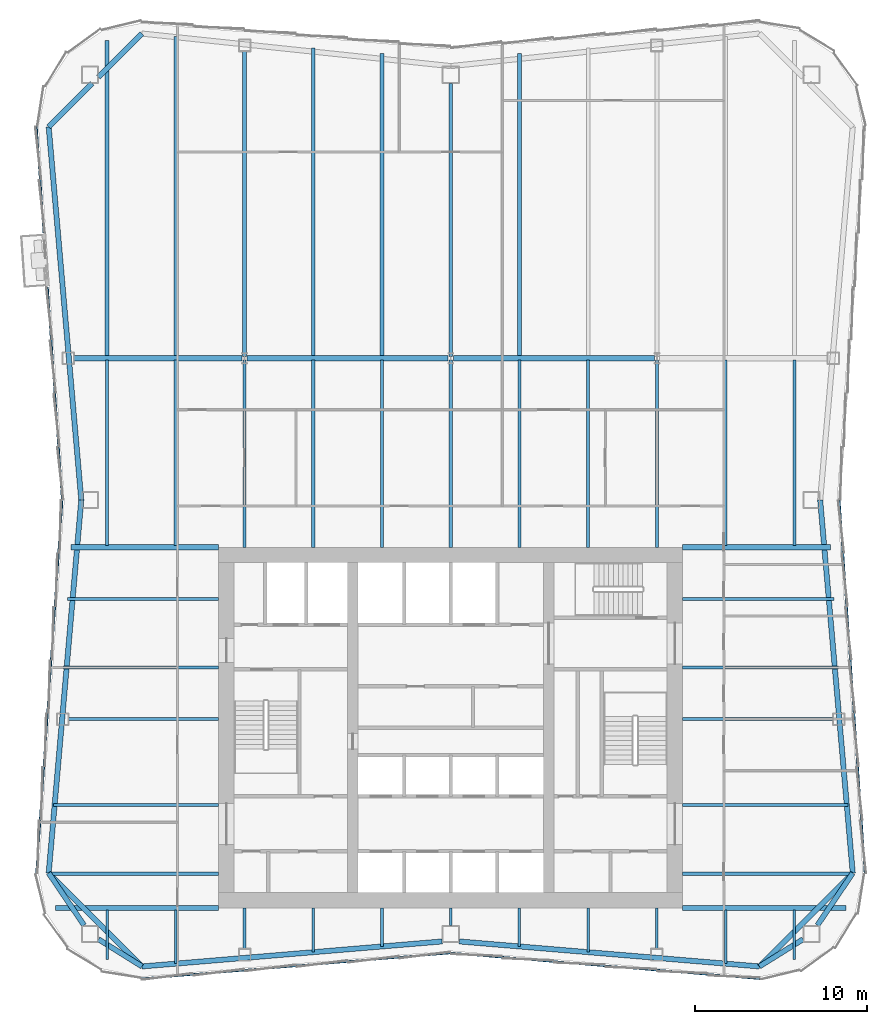
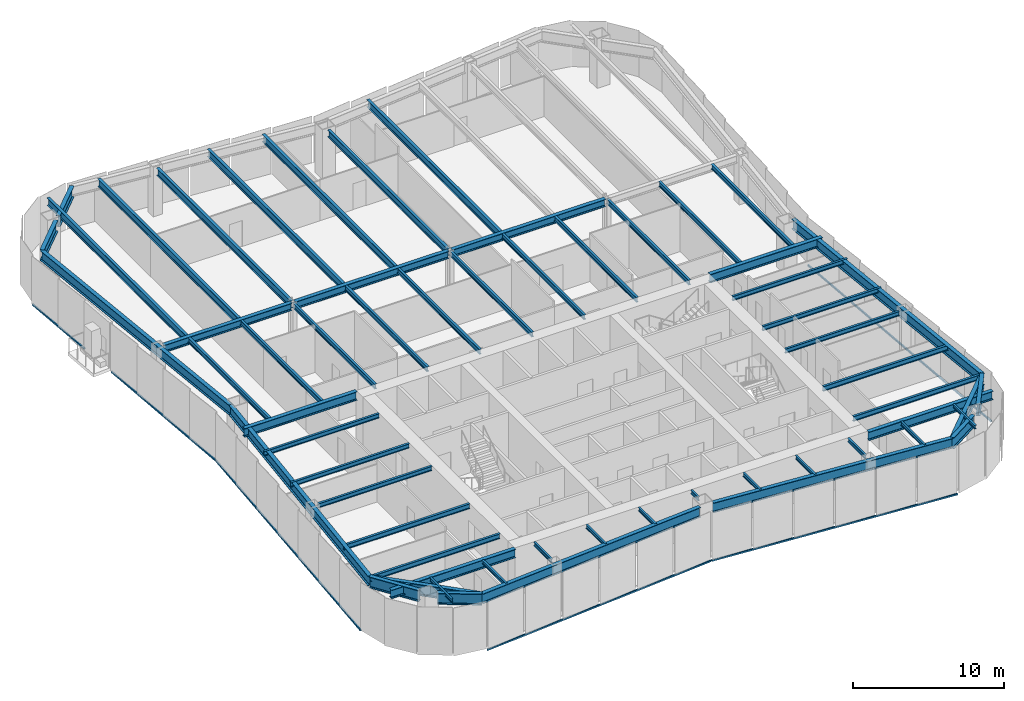
# One storey, part 2 of 10: 59 beams, 6 members, 3 elements without a shape of their own.
"""IFC4 building model written with IfcOpenShell, lengths in metres."""

from ifc_helpers import new_model, si_unit, direction, frame, origin, origin_2d, place, context, subcontext, project, spatial, rectangle, i_section, extrude, material, material_profile, profile_set, type_object, element, aggregate, save


model = new_model("IFC4")

# Units and contexts
model_context = context("Model", 3, precision=1e-05, world=origin(), true_north=direction((0.0, 1.0)))
body_context = subcontext(model_context, "Body", "Model", "MODEL_VIEW")
ifc_project = project(units=[si_unit("LENGTHUNIT", "METRE"), si_unit("AREAUNIT", "SQUARE_METRE"), si_unit("VOLUMEUNIT", "CUBIC_METRE"), si_unit("PLANEANGLEUNIT", "RADIAN"), si_unit("MASSUNIT", "GRAM", prefix="KILO")], contexts=[model_context])

# Site, building, storey
site_placement = place(None, origin())
site = spatial("IfcSite", under=ifc_project, at=site_placement, CompositionType="ELEMENT")
building_placement = place(site_placement, origin())
building = spatial("IfcBuilding", under=site, at=building_placement, Name="Verdant Reach Tower", CompositionType="ELEMENT")
storey_placement = place(building_placement, frame((0.0, 0.0, 214.0)))
storey = spatial("IfcBuildingStorey", under=building, at=storey_placement, Name="L49", CompositionType="ELEMENT", Elevation=214.0)

# Curtain wall, member
ifc_material_1 = material(Name="Anodised aluminium", Category="aluminium")
curtain_wall_type = type_object("IfcCurtainWallType", Name="EN-CW SYSTEM Z3", PredefinedType="NOTDEFINED", material=ifc_material_1)
curtain_wall_1_placement = place(storey_placement, origin())
curtain_wall_1 = element("IfcCurtainWall", 1, at=curtain_wall_1_placement, inside=storey, type_object=curtain_wall_type, Name="Curtain wall east, L49", PredefinedType="NOTDEFINED")
ifc_material_profile_1 = material_profile(ifc_material_1, rectangle(XDim=0.10009765625, YDim=0.1259765625, at=origin_2d()), Name="Transom 126x100")
ifc_profile_set_1 = profile_set([ifc_material_profile_1], Name="Anodised aluminium")
member_type = type_object("IfcMemberType", Name="EN-TRANSOM Z3", PredefinedType="USERDEFINED", material=ifc_profile_set_1)
member_1_placement = place(storey_placement, frame((24.1064453125, 19.52587890625, -0.287109375), z_axis=(-0.068764326054, 0.997632932226, 0.0), x_axis=(-0.997632932226, -0.068764326054, 0.0)))
member_1 = element("IfcMember", 2, at=member_1_placement, type_object=member_type, Name="Transom east face part 1 1.1, L49", ObjectType="TRANSOM", PredefinedType="USERDEFINED", context=body_context, shape_type="SweptSolid", body=[
    extrude(rectangle(XDim=0.10009765625, YDim=0.1259765625, at=origin_2d()), origin(), (0.0, 0.0, 1.0), 21.74267578125),
])
aggregate(curtain_wall_1, [member_1])

# Curtain wall, members
curtain_wall_2_placement = place(storey_placement, origin())
curtain_wall_2 = element("IfcCurtainWall", 3, at=curtain_wall_2_placement, inside=storey, type_object=curtain_wall_type, Name="Curtain wall west, L49", PredefinedType="NOTDEFINED")
member_2_placement = place(storey_placement, frame((-24.1064453125, 62.97412109375, -0.287109375), z_axis=(0.068646115672, -0.997641073134, 0.0), x_axis=(0.997641073134, 0.068646115672, 0.0)))
member_2 = element("IfcMember", 4, at=member_2_placement, type_object=member_type, Name="Transom west face part 1 1.1, L49", ObjectType="TRANSOM", PredefinedType="USERDEFINED", context=body_context, shape_type="SweptSolid", body=[
    extrude(rectangle(XDim=0.10009765625, YDim=0.1259765625, at=origin_2d()), origin(), (0.0, 0.0, 1.0), 6.177734375),
])
member_3_placement = place(storey_placement, frame((-23.463623046875, 53.63818359375, -0.287109375), z_axis=(0.068819005353, -0.997629161814, 0.0), x_axis=(0.997629161814, 0.068819005353, 0.0)))
member_3 = element("IfcMember", 5, at=member_3_placement, type_object=member_type, Name="Transom west face part 1 2.1, L49", ObjectType="TRANSOM", PredefinedType="USERDEFINED", context=body_context, shape_type="SweptSolid", body=[
    extrude(rectangle(XDim=0.10009765625, YDim=0.1259765625, at=origin_2d()), origin(), (0.0, 0.0, 1.0), 12.384521484375),
])
member_4_placement = place(storey_placement, frame((-22.611328125, 41.217041015625, -0.287109375), z_axis=(-0.068764326054, -0.997632932226, 0.0), x_axis=(0.997632932226, -0.068764326054, 0.0)))
member_4 = element("IfcMember", 6, at=member_4_placement, type_object=member_type, Name="Transom west face part 2 1.1, L49", ObjectType="TRANSOM", PredefinedType="USERDEFINED", context=body_context, shape_type="SweptSolid", body=[
    extrude(rectangle(XDim=0.10009765625, YDim=0.1259765625, at=origin_2d()), origin(), (0.0, 0.0, 1.0), 21.74267578125),
])
aggregate(curtain_wall_2, [member_2, member_3, member_4])

curtain_wall_3_placement = place(storey_placement, origin())
curtain_wall_3 = element("IfcCurtainWall", 7, at=curtain_wall_3_placement, inside=storey, type_object=curtain_wall_type, Name="Curtain wall south, L49", PredefinedType="NOTDEFINED")
member_5_placement = place(storey_placement, frame((-17.973388671875, 13.393798828125, -0.287109375), z_axis=(0.996548750467, 0.083009565369, 0.0), x_axis=(-0.083009565369, 0.996548750467, 0.0)))
member_5 = element("IfcMember", 8, at=member_5_placement, type_object=member_type, Name="Transom south face part 1 1.1, L49", ObjectType="TRANSOM", PredefinedType="USERDEFINED", context=body_context, shape_type="SweptSolid", body=[
    extrude(rectangle(XDim=0.10009765625, YDim=0.1259765625, at=origin_2d()), origin(), (0.0, 0.0, 1.0), 18.00244140625),
])
member_6_placement = place(storey_placement, frame((0.032958984375, 14.88818359375, -0.287109375), z_axis=(0.996548750467, -0.083009565369, 0.0), x_axis=(0.083009565369, 0.996548750467, 0.0)))
member_6 = element("IfcMember", 9, at=member_6_placement, type_object=member_type, Name="Transom south face part 2 1.1, L49", ObjectType="TRANSOM", PredefinedType="USERDEFINED", context=body_context, shape_type="SweptSolid", body=[
    extrude(rectangle(XDim=0.10009765625, YDim=0.1259765625, at=origin_2d()), origin(), (0.0, 0.0, 1.0), 18.00244140625),
])
aggregate(curtain_wall_3, [member_5, member_6])

# Beams
ifc_material_2 = material(Name="Steel S355", Category="steel")
ifc_material_profile_2 = material_profile(ifc_material_2, i_section(OverallWidth=0.300048828125, OverallDepth=0.60009765625, WebThickness=0.015380859375, FlangeThickness=0.030029296875, FilletRadius=0.027099609375, at=origin_2d()), Name="HEB 600")
ifc_profile_set_2 = profile_set([ifc_material_profile_2], Name="Steel S355")
beam_type_1 = type_object("IfcBeamType", Name="ST-BEAM-HEB600", PredefinedType="BEAM", material=ifc_profile_set_2)
beam_1_placement = place(storey_placement, frame((-21.9189453125, 49.5, 3.570068359375), z_axis=(1.0, 0.0, 0.0), x_axis=(0.0, 1.0, 0.0)))
element("IfcBeam", 10, at=beam_1_placement, inside=storey, type_object=beam_type_1, Name="Row girder, L49", PredefinedType="BEAM", context=body_context, shape_type="SweptSolid", body=[
    extrude(i_section(OverallWidth=0.300048828125, OverallDepth=0.60009765625, WebThickness=0.015380859375, FlangeThickness=0.030029296875, FilletRadius=0.027099609375, at=origin_2d()), origin(), (0.0, 0.0, 1.0), 9.766357421875),
])
for number, where, z_axis, x_axis, name in (
    (11, (-11.847412109375, 49.5, 3.570068359375), (1.0, 0.0, 0.0), (0.0, 1.0, 0.0), "Row girder, L49"),
    (12, (0.152587890625, 49.5, 3.570068359375), (1.0, 0.0, 0.0), (0.0, 1.0, 0.0), "Row girder, L49"),
):
    element("IfcBeam", number, at=place(storey_placement, frame(where, z_axis=z_axis, x_axis=x_axis)), inside=storey, type_object=beam_type_1, Name=name, PredefinedType="BEAM", context=body_context, shape_type="SweptSolid", body=[
        extrude(i_section(OverallWidth=0.300048828125, OverallDepth=0.60009765625, WebThickness=0.015380859375, FlangeThickness=0.030029296875, FilletRadius=0.027099609375, at=origin_2d()), origin(), (0.0, 0.0, 1.0), 11.69482421875),
    ])
ifc_material_profile_3 = material_profile(ifc_material_2, i_section(OverallWidth=0.300048828125, OverallDepth=0.699951171875, WebThickness=0.01708984375, FlangeThickness=0.031982421875, FilletRadius=0.027099609375, at=origin_2d()), Name="HEB 700")
ifc_profile_set_3 = profile_set([ifc_material_profile_3], Name="Steel S355")
beam_type_2 = type_object("IfcBeamType", Name="ST-BEAM-HEB700", PredefinedType="BEAM", material=ifc_profile_set_3)
for number, where, z_axis, x_axis, name in (
    (13, (13.5, 38.5, 3.52001953125), (1.0, 0.0, 0.0), (0.0, 1.0, 0.0), "Trimmer beam, L49"),
    (14, (-13.5, 38.5, 3.52001953125), (-1.0, 0.0, 0.0), (0.0, -1.0, 0.0), "Trimmer beam, L49"),
):
    element("IfcBeam", number, at=place(storey_placement, frame(where, z_axis=z_axis, x_axis=x_axis)), inside=storey, type_object=beam_type_2, Name=name, PredefinedType="BEAM", context=body_context, shape_type="SweptSolid", body=[
        extrude(i_section(OverallWidth=0.300048828125, OverallDepth=0.699951171875, WebThickness=0.01708984375, FlangeThickness=0.031982421875, FilletRadius=0.027099609375, at=origin_2d()), origin(), (0.0, 0.0, 1.0), 8.588134765625),
    ])
for number, where, z_axis, x_axis, name in (
    (15, (13.5, 17.5, 3.52001953125), (1.0, 0.0, 0.0), (0.0, 1.0, 0.0), "Trimmer beam, L49"),
    (16, (-13.5, 17.5, 3.52001953125), (-1.0, 0.0, 0.0), (0.0, -1.0, 0.0), "Trimmer beam, L49"),
):
    element("IfcBeam", number, at=place(storey_placement, frame(where, z_axis=z_axis, x_axis=x_axis)), inside=storey, type_object=beam_type_2, Name=name, PredefinedType="BEAM", context=body_context, shape_type="SweptSolid", body=[
        extrude(i_section(OverallWidth=0.300048828125, OverallDepth=0.699951171875, WebThickness=0.01708984375, FlangeThickness=0.031982421875, FilletRadius=0.027099609375, at=origin_2d()), origin(), (0.0, 0.0, 1.0), 9.490478515625),
    ])
ifc_material_profile_4 = material_profile(ifc_material_2, i_section(OverallWidth=0.302001953125, OverallDepth=0.909912109375, WebThickness=0.02099609375, FlangeThickness=0.0400390625, FilletRadius=0.030029296875, at=origin_2d()), Name="HEM 900")
ifc_profile_set_4 = profile_set([ifc_material_profile_4], Name="Steel S355")
beam_type_3 = type_object("IfcBeamType", Name="ST-BEAM-HEM900", PredefinedType="BEAM", material=ifc_profile_set_4)
beam_2_placement = place(storey_placement, frame((20.5, 15.687744140625, 3.4150390625), z_axis=(-0.848163521635, -0.529734500073, 0.0), x_axis=(0.529734500073, -0.848163521635, 0.0)))
element("IfcBeam", 17, at=beam_2_placement, inside=storey, type_object=beam_type_3, Name="Column stub beam, L49", PredefinedType="BEAM", context=body_context, shape_type="SweptSolid", body=[
    extrude(i_section(OverallWidth=0.302001953125, OverallDepth=0.909912109375, WebThickness=0.02099609375, FlangeThickness=0.0400390625, FilletRadius=0.030029296875, at=origin_2d()), origin(), (0.0, 0.0, 1.0), 2.98779296875),
])
beam_3_placement = place(storey_placement, frame((21.33837890625, 16.5, 3.4150390625), z_axis=(0.560703975309, 0.828016335631, 0.0), x_axis=(-0.828016335631, 0.560703975309, 0.0)))
element("IfcBeam", 18, at=beam_3_placement, inside=storey, type_object=beam_type_3, Name="Column stub beam, L49", PredefinedType="BEAM", context=body_context, shape_type="SweptSolid", body=[
    extrude(i_section(OverallWidth=0.302001953125, OverallDepth=0.909912109375, WebThickness=0.02099609375, FlangeThickness=0.0400390625, FilletRadius=0.030029296875, at=origin_2d()), origin(), (0.0, 0.0, 1.0), 3.669677734375),
])
beam_4_placement = place(storey_placement, frame((-20.5, 15.687744140625, 3.4150390625), z_axis=(0.848163521635, -0.529734500073, 0.0), x_axis=(0.529734500073, 0.848163521635, 0.0)))
element("IfcBeam", 19, at=beam_4_placement, inside=storey, type_object=beam_type_3, Name="Column stub beam, L49", PredefinedType="BEAM", context=body_context, shape_type="SweptSolid", body=[
    extrude(i_section(OverallWidth=0.302001953125, OverallDepth=0.909912109375, WebThickness=0.02099609375, FlangeThickness=0.0400390625, FilletRadius=0.030029296875, at=origin_2d()), origin(), (0.0, 0.0, 1.0), 2.98779296875),
])
beam_5_placement = place(storey_placement, frame((-21.33837890625, 16.5, 3.4150390625), z_axis=(-0.560703975309, 0.828016335631, 0.0), x_axis=(-0.828016335631, -0.560703975309, 0.0)))
element("IfcBeam", 20, at=beam_5_placement, inside=storey, type_object=beam_type_3, Name="Column stub beam, L49", PredefinedType="BEAM", context=body_context, shape_type="SweptSolid", body=[
    extrude(i_section(OverallWidth=0.302001953125, OverallDepth=0.909912109375, WebThickness=0.02099609375, FlangeThickness=0.0400390625, FilletRadius=0.030029296875, at=origin_2d()), origin(), (0.0, 0.0, 1.0), 3.669677734375),
])
ifc_material_profile_5 = material_profile(ifc_material_2, i_section(OverallWidth=0.14990234375, OverallDepth=0.300048828125, WebThickness=0.007080078125, FlangeThickness=0.0107421875, FilletRadius=0.014892578125, at=origin_2d()), Name="IPE 300")
ifc_profile_set_5 = profile_set([ifc_material_profile_5], Name="Steel S355")
beam_type_4 = type_object("IfcBeamType", Name="ST-JOIST-IPE300", PredefinedType="JOIST", material=ifc_profile_set_5)
beam_6_placement = place(storey_placement, frame((-20.0, 17.39990234375, 3.719970703125), z_axis=(0.0, -1.0, 0.0), x_axis=(1.0, 0.0, 0.0)))
element("IfcBeam", 21, at=beam_6_placement, inside=storey, type_object=beam_type_4, Name="Floor joist, L49", PredefinedType="JOIST", context=body_context, shape_type="SweptSolid", body=[
    extrude(i_section(OverallWidth=0.14990234375, OverallDepth=0.300048828125, WebThickness=0.007080078125, FlangeThickness=0.0107421875, FilletRadius=0.014892578125, at=origin_2d()), origin(), (0.0, 0.0, 1.0), 2.890380859375),
])
beam_7_placement = place(storey_placement, frame((-16.0, 17.39990234375, 3.719970703125), z_axis=(0.0, -1.0, 0.0), x_axis=(1.0, 0.0, 0.0)))
element("IfcBeam", 22, at=beam_7_placement, inside=storey, type_object=beam_type_4, Name="Floor joist, L49", PredefinedType="JOIST", context=body_context, shape_type="SweptSolid", body=[
    extrude(i_section(OverallWidth=0.14990234375, OverallDepth=0.300048828125, WebThickness=0.007080078125, FlangeThickness=0.0107421875, FilletRadius=0.014892578125, at=origin_2d()), origin(), (0.0, 0.0, 1.0), 3.131103515625),
])
beam_8_placement = place(storey_placement, frame((-12.0, 17.5, 3.719970703125), z_axis=(0.0, -1.0, 0.0), x_axis=(1.0, 0.0, 0.0)))
element("IfcBeam", 23, at=beam_8_placement, inside=storey, type_object=beam_type_4, Name="Floor joist, L49", PredefinedType="JOIST", context=body_context, shape_type="SweptSolid", body=[
    extrude(i_section(OverallWidth=0.14990234375, OverallDepth=0.300048828125, WebThickness=0.007080078125, FlangeThickness=0.0107421875, FilletRadius=0.014892578125, at=origin_2d()), origin(), (0.0, 0.0, 1.0), 2.35009765625),
])
beam_9_placement = place(storey_placement, frame((-8.0, 17.5, 3.719970703125), z_axis=(0.0, -1.0, 0.0), x_axis=(1.0, 0.0, 0.0)))
element("IfcBeam", 24, at=beam_9_placement, inside=storey, type_object=beam_type_4, Name="Floor joist, L49", PredefinedType="JOIST", context=body_context, shape_type="SweptSolid", body=[
    extrude(i_section(OverallWidth=0.14990234375, OverallDepth=0.300048828125, WebThickness=0.007080078125, FlangeThickness=0.0107421875, FilletRadius=0.014892578125, at=origin_2d()), origin(), (0.0, 0.0, 1.0), 2.564697265625),
])
beam_10_placement = place(storey_placement, frame((-4.0, 17.5, 3.719970703125), z_axis=(0.0, -1.0, 0.0), x_axis=(1.0, 0.0, 0.0)))
element("IfcBeam", 25, at=beam_10_placement, inside=storey, type_object=beam_type_4, Name="Floor joist, L49", PredefinedType="JOIST", context=body_context, shape_type="SweptSolid", body=[
    extrude(i_section(OverallWidth=0.14990234375, OverallDepth=0.300048828125, WebThickness=0.007080078125, FlangeThickness=0.0107421875, FilletRadius=0.014892578125, at=origin_2d()), origin(), (0.0, 0.0, 1.0), 2.231201171875),
])
beam_11_placement = place(storey_placement, frame((0.0, 17.5, 3.719970703125), z_axis=(0.0, -1.0, 0.0), x_axis=(1.0, 0.0, 0.0)))
element("IfcBeam", 26, at=beam_11_placement, inside=storey, type_object=beam_type_4, Name="Floor joist, L49", PredefinedType="JOIST", context=body_context, shape_type="SweptSolid", body=[
    extrude(i_section(OverallWidth=0.14990234375, OverallDepth=0.300048828125, WebThickness=0.007080078125, FlangeThickness=0.0107421875, FilletRadius=0.014892578125, at=origin_2d()), origin(), (0.0, 0.0, 1.0), 1.0),
])
beam_12_placement = place(storey_placement, frame((4.0, 17.5, 3.719970703125), z_axis=(0.0, -1.0, 0.0), x_axis=(1.0, 0.0, 0.0)))
element("IfcBeam", 27, at=beam_12_placement, inside=storey, type_object=beam_type_4, Name="Floor joist, L49", PredefinedType="JOIST", context=body_context, shape_type="SweptSolid", body=[
    extrude(i_section(OverallWidth=0.14990234375, OverallDepth=0.300048828125, WebThickness=0.007080078125, FlangeThickness=0.0107421875, FilletRadius=0.014892578125, at=origin_2d()), origin(), (0.0, 0.0, 1.0), 2.231201171875),
])
beam_13_placement = place(storey_placement, frame((8.0, 17.5, 3.719970703125), z_axis=(0.0, -1.0, 0.0), x_axis=(1.0, 0.0, 0.0)))
element("IfcBeam", 28, at=beam_13_placement, inside=storey, type_object=beam_type_4, Name="Floor joist, L49", PredefinedType="JOIST", context=body_context, shape_type="SweptSolid", body=[
    extrude(i_section(OverallWidth=0.14990234375, OverallDepth=0.300048828125, WebThickness=0.007080078125, FlangeThickness=0.0107421875, FilletRadius=0.014892578125, at=origin_2d()), origin(), (0.0, 0.0, 1.0), 2.564697265625),
])
beam_14_placement = place(storey_placement, frame((12.0, 17.5, 3.719970703125), z_axis=(0.0, -1.0, 0.0), x_axis=(1.0, 0.0, 0.0)))
element("IfcBeam", 29, at=beam_14_placement, inside=storey, type_object=beam_type_4, Name="Floor joist, L49", PredefinedType="JOIST", context=body_context, shape_type="SweptSolid", body=[
    extrude(i_section(OverallWidth=0.14990234375, OverallDepth=0.300048828125, WebThickness=0.007080078125, FlangeThickness=0.0107421875, FilletRadius=0.014892578125, at=origin_2d()), origin(), (0.0, 0.0, 1.0), 2.35009765625),
])
beam_15_placement = place(storey_placement, frame((16.0, 17.39990234375, 3.719970703125), z_axis=(0.0, -1.0, 0.0), x_axis=(1.0, 0.0, 0.0)))
element("IfcBeam", 30, at=beam_15_placement, inside=storey, type_object=beam_type_4, Name="Floor joist, L49", PredefinedType="JOIST", context=body_context, shape_type="SweptSolid", body=[
    extrude(i_section(OverallWidth=0.14990234375, OverallDepth=0.300048828125, WebThickness=0.007080078125, FlangeThickness=0.0107421875, FilletRadius=0.014892578125, at=origin_2d()), origin(), (0.0, 0.0, 1.0), 3.131103515625),
])
beam_16_placement = place(storey_placement, frame((20.0, 17.39990234375, 3.719970703125), z_axis=(0.0, -1.0, 0.0), x_axis=(1.0, 0.0, 0.0)))
element("IfcBeam", 31, at=beam_16_placement, inside=storey, type_object=beam_type_4, Name="Floor joist, L49", PredefinedType="JOIST", context=body_context, shape_type="SweptSolid", body=[
    extrude(i_section(OverallWidth=0.14990234375, OverallDepth=0.300048828125, WebThickness=0.007080078125, FlangeThickness=0.0107421875, FilletRadius=0.014892578125, at=origin_2d()), origin(), (0.0, 0.0, 1.0), 2.890380859375),
])
ifc_material_profile_6 = material_profile(ifc_material_2, i_section(OverallWidth=0.169921875, OverallDepth=0.360107421875, WebThickness=0.008056640625, FlangeThickness=0.0126953125, FilletRadius=0.01806640625, at=origin_2d()), Name="IPE 360")
ifc_profile_set_6 = profile_set([ifc_material_profile_6], Name="Steel S355")
beam_type_5 = type_object("IfcBeamType", Name="ST-JOIST-IPE360", PredefinedType="JOIST", material=ifc_profile_set_6)
for number, where, z_axis, x_axis, name in (
    (32, (13.5, 28.5, 3.68994140625), (1.0, 0.0, 0.0), (0.0, 1.0, 0.0), "Floor joist, L49"),
    (33, (-13.5, 28.5, 3.68994140625), (-1.0, 0.0, 0.0), (0.0, -1.0, 0.0), "Floor joist, L49"),
):
    element("IfcBeam", number, at=place(storey_placement, frame(where, z_axis=z_axis, x_axis=x_axis)), inside=storey, type_object=beam_type_5, Name=name, PredefinedType="JOIST", context=body_context, shape_type="SweptSolid", body=[
        extrude(i_section(OverallWidth=0.169921875, OverallDepth=0.360107421875, WebThickness=0.008056640625, FlangeThickness=0.0126953125, FilletRadius=0.01806640625, at=origin_2d()), origin(), (0.0, 0.0, 1.0), 8.729248046875),
    ])
for number, where, z_axis, x_axis, name in (
    (34, (13.5, 31.5, 3.68994140625), (1.0, 0.0, 0.0), (0.0, 1.0, 0.0), "Floor joist, L49"),
    (35, (-13.5, 31.5, 3.68994140625), (-1.0, 0.0, 0.0), (0.0, -1.0, 0.0), "Floor joist, L49"),
):
    element("IfcBeam", number, at=place(storey_placement, frame(where, z_axis=z_axis, x_axis=x_axis)), inside=storey, type_object=beam_type_5, Name=name, PredefinedType="JOIST", context=body_context, shape_type="SweptSolid", body=[
        extrude(i_section(OverallWidth=0.169921875, OverallDepth=0.360107421875, WebThickness=0.008056640625, FlangeThickness=0.0126953125, FilletRadius=0.01806640625, at=origin_2d()), origin(), (0.0, 0.0, 1.0), 9.071044921875),
    ])
for number, where, z_axis, x_axis, name in (
    (36, (13.5, 35.5, 3.68994140625), (1.0, 0.0, 0.0), (0.0, 1.0, 0.0), "Floor joist, L49"),
    (37, (-13.5, 35.5, 3.68994140625), (-1.0, 0.0, 0.0), (0.0, -1.0, 0.0), "Floor joist, L49"),
):
    element("IfcBeam", number, at=place(storey_placement, frame(where, z_axis=z_axis, x_axis=x_axis)), inside=storey, type_object=beam_type_5, Name=name, PredefinedType="JOIST", context=body_context, shape_type="SweptSolid", body=[
        extrude(i_section(OverallWidth=0.169921875, OverallDepth=0.360107421875, WebThickness=0.008056640625, FlangeThickness=0.0126953125, FilletRadius=0.01806640625, at=origin_2d()), origin(), (0.0, 0.0, 1.0), 8.795166015625),
    ])
ifc_material_profile_7 = material_profile(ifc_material_2, i_section(OverallWidth=0.179931640625, OverallDepth=0.39990234375, WebThickness=0.008544921875, FlangeThickness=0.013427734375, FilletRadius=0.02099609375, at=origin_2d()), Name="IPE 400")
ifc_profile_set_7 = profile_set([ifc_material_profile_7], Name="Steel S355")
beam_type_6 = type_object("IfcBeamType", Name="ST-JOIST-IPE400", PredefinedType="JOIST", material=ifc_profile_set_7)
for number, where, z_axis, x_axis, name in (
    (38, (-20.0, 38.60009765625, 3.669921875), (0.0, 1.0, 0.0), (-1.0, 0.0, 0.0), "Floor joist, L49"),
    (39, (-16.0, 38.60009765625, 3.669921875), (0.0, 1.0, 0.0), (-1.0, 0.0, 0.0), "Floor joist, L49"),
):
    element("IfcBeam", number, at=place(storey_placement, frame(where, z_axis=z_axis, x_axis=x_axis)), inside=storey, type_object=beam_type_6, Name=name, PredefinedType="JOIST", context=body_context, shape_type="SweptSolid", body=[
        extrude(i_section(OverallWidth=0.179931640625, OverallDepth=0.39990234375, WebThickness=0.008544921875, FlangeThickness=0.013427734375, FilletRadius=0.02099609375, at=origin_2d()), origin(), (0.0, 0.0, 1.0), 10.7998046875),
    ])
for number, where, z_axis, x_axis, name in (
    (40, (-12.0, 38.5, 3.669921875), (0.0, 1.0, 0.0), (-1.0, 0.0, 0.0), "Floor joist, L49"),
    (41, (-8.0, 38.5, 3.669921875), (0.0, 1.0, 0.0), (-1.0, 0.0, 0.0), "Floor joist, L49"),
    (42, (-4.0, 38.5, 3.669921875), (0.0, 1.0, 0.0), (-1.0, 0.0, 0.0), "Floor joist, L49"),
    (43, (0.0, 38.5, 3.669921875), (0.0, 1.0, 0.0), (-1.0, 0.0, 0.0), "Floor joist, L49"),
    (44, (4.0, 38.5, 3.669921875), (0.0, 1.0, 0.0), (-1.0, 0.0, 0.0), "Floor joist, L49"),
    (45, (8.0, 38.5, 3.669921875), (0.0, 1.0, 0.0), (-1.0, 0.0, 0.0), "Floor joist, L49"),
    (46, (12.0, 38.5, 3.669921875), (0.0, 1.0, 0.0), (-1.0, 0.0, 0.0), "Floor joist, L49"),
):
    element("IfcBeam", number, at=place(storey_placement, frame(where, z_axis=z_axis, x_axis=x_axis)), inside=storey, type_object=beam_type_6, Name=name, PredefinedType="JOIST", context=body_context, shape_type="SweptSolid", body=[
        extrude(i_section(OverallWidth=0.179931640625, OverallDepth=0.39990234375, WebThickness=0.008544921875, FlangeThickness=0.013427734375, FilletRadius=0.02099609375, at=origin_2d()), origin(), (0.0, 0.0, 1.0), 10.89990234375),
    ])
for number, where, z_axis, x_axis, name in (
    (47, (16.0, 38.60009765625, 3.669921875), (0.0, 1.0, 0.0), (-1.0, 0.0, 0.0), "Floor joist, L49"),
    (48, (20.0, 38.60009765625, 3.669921875), (0.0, 1.0, 0.0), (-1.0, 0.0, 0.0), "Floor joist, L49"),
):
    element("IfcBeam", number, at=place(storey_placement, frame(where, z_axis=z_axis, x_axis=x_axis)), inside=storey, type_object=beam_type_6, Name=name, PredefinedType="JOIST", context=body_context, shape_type="SweptSolid", body=[
        extrude(i_section(OverallWidth=0.179931640625, OverallDepth=0.39990234375, WebThickness=0.008544921875, FlangeThickness=0.013427734375, FilletRadius=0.02099609375, at=origin_2d()), origin(), (0.0, 0.0, 1.0), 10.7998046875),
    ])
for number, where, z_axis, x_axis, name in (
    (49, (13.5, 19.5, 3.669921875), (1.0, 0.0, 0.0), (0.0, 1.0, 0.0), "Floor joist, L49"),
    (50, (-13.5, 19.5, 3.669921875), (-1.0, 0.0, 0.0), (0.0, -1.0, 0.0), "Floor joist, L49"),
):
    element("IfcBeam", number, at=place(storey_placement, frame(where, z_axis=z_axis, x_axis=x_axis)), inside=storey, type_object=beam_type_6, Name=name, PredefinedType="JOIST", context=body_context, shape_type="SweptSolid", body=[
        extrude(i_section(OverallWidth=0.179931640625, OverallDepth=0.39990234375, WebThickness=0.008544921875, FlangeThickness=0.013427734375, FilletRadius=0.02099609375, at=origin_2d()), origin(), (0.0, 0.0, 1.0), 9.88818359375),
    ])
for number, where, z_axis, x_axis, name in (
    (51, (13.5, 23.5, 3.669921875), (1.0, 0.0, 0.0), (0.0, 1.0, 0.0), "Floor joist, L49"),
    (52, (-13.5, 23.5, 3.669921875), (-1.0, 0.0, 0.0), (0.0, -1.0, 0.0), "Floor joist, L49"),
):
    element("IfcBeam", number, at=place(storey_placement, frame(where, z_axis=z_axis, x_axis=x_axis)), inside=storey, type_object=beam_type_6, Name=name, PredefinedType="JOIST", context=body_context, shape_type="SweptSolid", body=[
        extrude(i_section(OverallWidth=0.179931640625, OverallDepth=0.39990234375, WebThickness=0.008544921875, FlangeThickness=0.013427734375, FilletRadius=0.02099609375, at=origin_2d()), origin(), (0.0, 0.0, 1.0), 9.622802734375),
    ])
ifc_material_profile_8 = material_profile(ifc_material_2, i_section(OverallWidth=0.2099609375, OverallDepth=0.550048828125, WebThickness=0.010986328125, FlangeThickness=0.01708984375, FilletRadius=0.02392578125, at=origin_2d()), Name="IPE 550")
ifc_profile_set_8 = profile_set([ifc_material_profile_8], Name="Steel S355")
beam_type_7 = type_object("IfcBeamType", Name="ST-JOIST-IPE550", PredefinedType="JOIST", material=ifc_profile_set_8)
beam_17_placement = place(storey_placement, frame((0.0, 49.60009765625, 3.594970703125), z_axis=(0.0, 1.0, 0.0), x_axis=(-1.0, 0.0, 0.0)))
element("IfcBeam", 53, at=beam_17_placement, inside=storey, type_object=beam_type_7, Name="Floor joist, L49", PredefinedType="JOIST", context=body_context, shape_type="SweptSolid", body=[
    extrude(i_section(OverallWidth=0.2099609375, OverallDepth=0.550048828125, WebThickness=0.010986328125, FlangeThickness=0.01708984375, FilletRadius=0.02392578125, at=origin_2d()), origin(), (0.0, 0.0, 1.0), 15.89990234375),
])
ifc_material_profile_9 = material_profile(ifc_material_2, i_section(OverallWidth=0.219970703125, OverallDepth=0.60009765625, WebThickness=0.011962890625, FlangeThickness=0.01904296875, FilletRadius=0.02392578125, at=origin_2d()), Name="IPE 600")
ifc_profile_set_9 = profile_set([ifc_material_profile_9], Name="Steel S355")
beam_type_8 = type_object("IfcBeamType", Name="ST-JOIST-IPE600", PredefinedType="JOIST", material=ifc_profile_set_9)
beam_18_placement = place(storey_placement, frame((-20.0, 49.60009765625, 3.570068359375), z_axis=(0.0, 1.0, 0.0), x_axis=(-1.0, 0.0, 0.0)))
element("IfcBeam", 54, at=beam_18_placement, inside=storey, type_object=beam_type_8, Name="Floor joist, L49", PredefinedType="JOIST", context=body_context, shape_type="SweptSolid", body=[
    extrude(i_section(OverallWidth=0.219970703125, OverallDepth=0.60009765625, WebThickness=0.011962890625, FlangeThickness=0.01904296875, FilletRadius=0.02392578125, at=origin_2d()), origin(), (0.0, 0.0, 1.0), 18.390380859375),
])
beam_19_placement = place(storey_placement, frame((-16.0, 49.60009765625, 3.570068359375), z_axis=(0.0, 1.0, 0.0), x_axis=(-1.0, 0.0, 0.0)))
element("IfcBeam", 55, at=beam_19_placement, inside=storey, type_object=beam_type_8, Name="Floor joist, L49", PredefinedType="JOIST", context=body_context, shape_type="SweptSolid", body=[
    extrude(i_section(OverallWidth=0.219970703125, OverallDepth=0.60009765625, WebThickness=0.011962890625, FlangeThickness=0.01904296875, FilletRadius=0.02392578125, at=origin_2d()), origin(), (0.0, 0.0, 1.0), 18.631103515625),
])
beam_20_placement = place(storey_placement, frame((-12.0, 49.60009765625, 3.570068359375), z_axis=(0.0, 1.0, 0.0), x_axis=(-1.0, 0.0, 0.0)))
element("IfcBeam", 56, at=beam_20_placement, inside=storey, type_object=beam_type_8, Name="Floor joist, L49", PredefinedType="JOIST", context=body_context, shape_type="SweptSolid", body=[
    extrude(i_section(OverallWidth=0.219970703125, OverallDepth=0.60009765625, WebThickness=0.011962890625, FlangeThickness=0.01904296875, FilletRadius=0.02392578125, at=origin_2d()), origin(), (0.0, 0.0, 1.0), 17.75),
])
beam_21_placement = place(storey_placement, frame((-8.0, 49.60009765625, 3.570068359375), z_axis=(0.0, 1.0, 0.0), x_axis=(-1.0, 0.0, 0.0)))
element("IfcBeam", 57, at=beam_21_placement, inside=storey, type_object=beam_type_8, Name="Floor joist, L49", PredefinedType="JOIST", context=body_context, shape_type="SweptSolid", body=[
    extrude(i_section(OverallWidth=0.219970703125, OverallDepth=0.60009765625, WebThickness=0.011962890625, FlangeThickness=0.01904296875, FilletRadius=0.02392578125, at=origin_2d()), origin(), (0.0, 0.0, 1.0), 17.964599609375),
])
for number, where, z_axis, x_axis, name in (
    (58, (-4.0, 49.60009765625, 3.570068359375), (0.0, 1.0, 0.0), (-1.0, 0.0, 0.0), "Floor joist, L49"),
    (59, (4.0, 49.60009765625, 3.570068359375), (0.0, 1.0, 0.0), (-1.0, 0.0, 0.0), "Floor joist, L49"),
):
    element("IfcBeam", number, at=place(storey_placement, frame(where, z_axis=z_axis, x_axis=x_axis)), inside=storey, type_object=beam_type_8, Name=name, PredefinedType="JOIST", context=body_context, shape_type="SweptSolid", body=[
        extrude(i_section(OverallWidth=0.219970703125, OverallDepth=0.60009765625, WebThickness=0.011962890625, FlangeThickness=0.01904296875, FilletRadius=0.02392578125, at=origin_2d()), origin(), (0.0, 0.0, 1.0), 17.631103515625),
    ])
ifc_material_profile_10 = material_profile(ifc_material_2, i_section(OverallWidth=0.300048828125, OverallDepth=0.800048828125, WebThickness=0.017578125, FlangeThickness=0.032958984375, FilletRadius=0.030029296875, at=origin_2d()), Name="HEB 800")
ifc_profile_set_10 = profile_set([ifc_material_profile_10], Name="Steel S355")
beam_type_9 = type_object("IfcBeamType", Name="ST-SPANDREL-HEB800", PredefinedType="SPANDREL", material=ifc_profile_set_10)
for number, where, z_axis, x_axis, name in (
    (60, (17.9658203125, 14.10498046875, 3.469970703125), (-0.99654652675, 0.083036257282, 0.0), (-0.083036257282, -0.99654652675, 0.0), "Edge beam, L49"),
    (61, (-0.5, 15.560302734375, 3.469970703125), (-0.99654652675, -0.083036257282, 0.0), (0.083036257282, -0.99654652675, 0.0), "Edge beam, L49"),
):
    element("IfcBeam", number, at=place(storey_placement, frame(where, z_axis=z_axis, x_axis=x_axis)), inside=storey, type_object=beam_type_9, Name=name, PredefinedType="SPANDREL", context=body_context, shape_type="SweptSolid", body=[
        extrude(i_section(OverallWidth=0.300048828125, OverallDepth=0.800048828125, WebThickness=0.017578125, FlangeThickness=0.032958984375, FilletRadius=0.030029296875, at=origin_2d()), origin(), (0.0, 0.0, 1.0), 17.5263671875),
    ])
for number, where, z_axis, x_axis, name in (
    (62, (-23.39599609375, 19.53857421875, 3.469970703125), (0.086996024331, 0.996208658741, 0.0), (-0.996208658741, 0.086996024331, 0.0), "Edge beam, L49"),
    (63, (-21.5, 41.25, 3.469970703125), (-0.086996024331, 0.996208658741, 0.0), (-0.996208658741, -0.086996024331, 0.0), "Edge beam, L49"),
    (64, (21.5, 41.25, 3.469970703125), (0.086996024331, -0.996208658741, 0.0), (0.996208658741, 0.086996024331, 0.0), "Edge beam, L49"),
):
    element("IfcBeam", number, at=place(storey_placement, frame(where, z_axis=z_axis, x_axis=x_axis)), inside=storey, type_object=beam_type_9, Name=name, PredefinedType="SPANDREL", context=body_context, shape_type="SweptSolid", body=[
        extrude(i_section(OverallWidth=0.300048828125, OverallDepth=0.800048828125, WebThickness=0.017578125, FlangeThickness=0.032958984375, FilletRadius=0.030029296875, at=origin_2d()), origin(), (0.0, 0.0, 1.0), 21.7939453125),
    ])
ifc_material_profile_11 = material_profile(ifc_material_2, i_section(OverallWidth=0.302001953125, OverallDepth=0.909912109375, WebThickness=0.02099609375, FlangeThickness=0.0400390625, FilletRadius=0.030029296875, at=origin_2d()), Name="HEM 900")
ifc_profile_set_11 = profile_set([ifc_material_profile_11], Name="Steel S355")
beam_type_10 = type_object("IfcBeamType", Name="ST-SPANDREL-HEM900", PredefinedType="SPANDREL", material=ifc_profile_set_11)
beam_22_placement = place(storey_placement, frame((-17.9658203125, 14.10498046875, 3.4150390625), z_axis=(-0.706884275642, 0.707329216738, 0.0), x_axis=(-0.707329216738, -0.706884275642, 0.0)))
element("IfcBeam", 65, at=beam_22_placement, inside=storey, type_object=beam_type_10, Name="Edge beam, L49", PredefinedType="SPANDREL", context=body_context, shape_type="SweptSolid", body=[
    extrude(i_section(OverallWidth=0.302001953125, OverallDepth=0.909912109375, WebThickness=0.02099609375, FlangeThickness=0.0400390625, FilletRadius=0.030029296875, at=origin_2d()), origin(), (0.0, 0.0, 1.0), 7.681884765625),
])
beam_23_placement = place(storey_placement, frame((-23.39599609375, 62.96142578125, 3.4150390625), z_axis=(0.706902680526, 0.707310822952, 0.0), x_axis=(-0.707310822952, 0.706902680526, 0.0)))
element("IfcBeam", 66, at=beam_23_placement, inside=storey, type_object=beam_type_10, Name="Edge beam, L49", PredefinedType="SPANDREL", context=body_context, shape_type="SweptSolid", body=[
    extrude(i_section(OverallWidth=0.302001953125, OverallDepth=0.909912109375, WebThickness=0.02099609375, FlangeThickness=0.0400390625, FilletRadius=0.030029296875, at=origin_2d()), origin(), (0.0, 0.0, 1.0), 3.589111328125),
])
beam_24_placement = place(storey_placement, frame((-20.5, 65.859130859375, 3.4150390625), z_axis=(0.706868394255, 0.707345087777, 0.0), x_axis=(-0.707345087777, 0.706868394255, 0.0)))
element("IfcBeam", 67, at=beam_24_placement, inside=storey, type_object=beam_type_10, Name="Edge beam, L49", PredefinedType="SPANDREL", context=body_context, shape_type="SweptSolid", body=[
    extrude(i_section(OverallWidth=0.302001953125, OverallDepth=0.909912109375, WebThickness=0.02099609375, FlangeThickness=0.0400390625, FilletRadius=0.030029296875, at=origin_2d()), origin(), (0.0, 0.0, 1.0), 3.5849609375),
])
beam_25_placement = place(storey_placement, frame((23.39599609375, 19.53857421875, 3.4150390625), z_axis=(-0.706884275642, -0.707329216738, 0.0), x_axis=(0.707329216738, -0.706884275642, 0.0)))
element("IfcBeam", 68, at=beam_25_placement, inside=storey, type_object=beam_type_10, Name="Edge beam, L49", PredefinedType="SPANDREL", context=body_context, shape_type="SweptSolid", body=[
    extrude(i_section(OverallWidth=0.302001953125, OverallDepth=0.909912109375, WebThickness=0.02099609375, FlangeThickness=0.0400390625, FilletRadius=0.030029296875, at=origin_2d()), origin(), (0.0, 0.0, 1.0), 7.681884765625),
])

save(model, "model.ifc")
